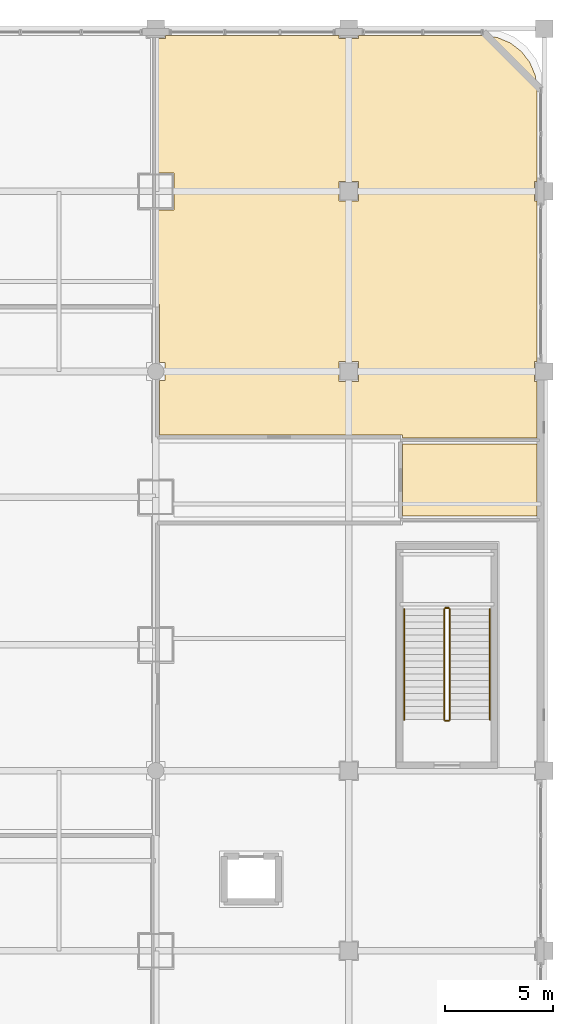
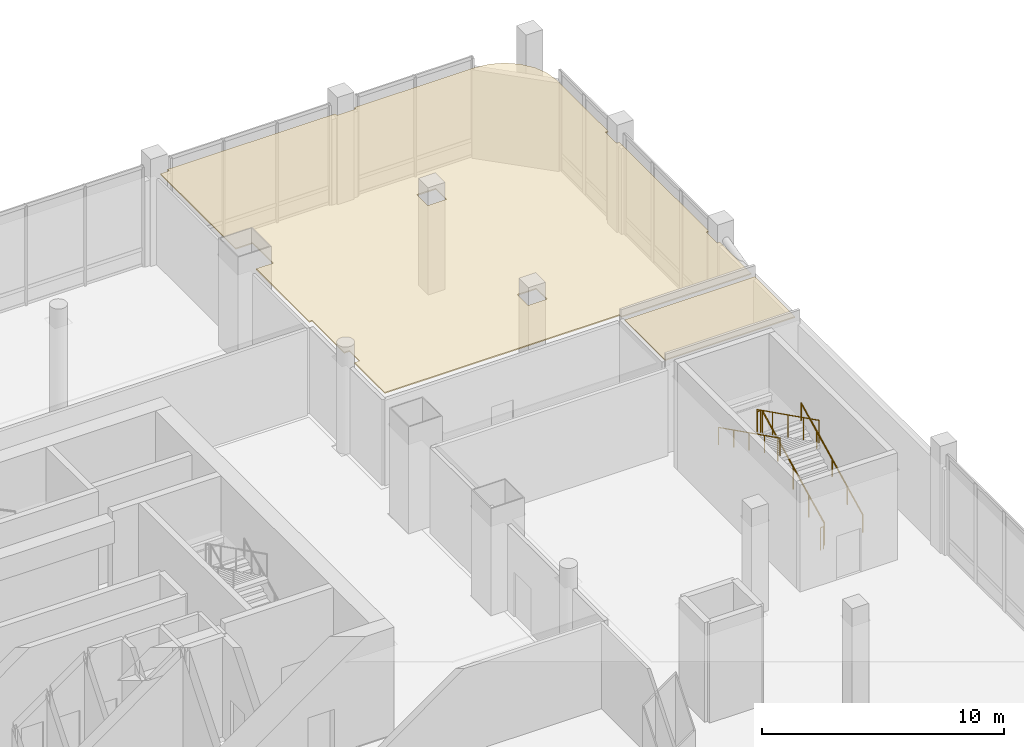
# One storey, part 35 of 35: 6 railings, 2 coverings.
"""IFC4 building model written with IfcOpenShell, lengths in metres."""

import ifcopenshell
import ifcopenshell.guid

model = None  # the IFC model being written
_history = None  # IfcOwnerHistory: only IFC2X3 demands one
_inside = {}  # id of a spatial element -> (the spatial element, [elements in it])
_under = {}  # id of a project, library or spatial element -> (it, [spatial elements below it])
_declared = {}  # id of a project -> (the project, [libraries it declares])
_typed = {}  # id of a type object -> (the type object, [elements of that type])
_made_of = {}  # id of a material, layer set ... -> (it, [elements and type objects made of it])


def new_model(schema):
    """Start an empty IFC model of exactly this schema.

    Asked for "IFC4X3", IfcOpenShell would pick the latest addendum, in which some entities
    have other attributes; the version numbers below select the first issue.
    IFC2X3 requires an IfcOwnerHistory on every rooted entity: one is made here for all.
    """
    global model, _history
    if schema == "IFC4X3":
        model = ifcopenshell.file(schema_version=(4, 3, 0, 0))
    else:
        model = ifcopenshell.file(schema=schema)
    _inside.clear()
    _under.clear()
    _declared.clear()
    _typed.clear()
    _made_of.clear()
    _history = None
    if model.schema == "IFC2X3":
        org = make("IfcOrganization", Name="unknown")
        user = make(
            "IfcPersonAndOrganization",
            ThePerson=make("IfcPerson", FamilyName="unknown"),
            TheOrganization=org,
        )
        app = make(
            "IfcApplication",
            ApplicationDeveloper=org,
            Version="unknown",
            ApplicationFullName="unknown",
            ApplicationIdentifier="unknown",
        )
        _history = make(
            "IfcOwnerHistory",
            OwningUser=user,
            OwningApplication=app,
            ChangeAction="ADDED",
            CreationDate=0,
        )
    return model


def make(cls, **values):
    """One entity of the class cls with the attributes given. An attribute that is None is left unset."""
    return model.create_entity(
        cls, **{name: value for name, value in values.items() if value is not None}
    )


def rooted(cls, **values):
    """An entity with a GlobalId (a new one), such as an element, a storey or a relation."""
    return make(cls, GlobalId=ifcopenshell.guid.new(), OwnerHistory=_history, **values)


def si_unit(unit_type, name, prefix=None):
    """IfcSIUnit, for example si_unit("LENGTHUNIT", "METRE", prefix="MILLI")."""
    return make("IfcSIUnit", UnitType=unit_type, Prefix=prefix, Name=name)


def assignment(units):
    """IfcUnitAssignment: the units of a project."""
    return None if units is None else make("IfcUnitAssignment", Units=units)


def point(xyz):
    """IfcCartesianPoint."""
    return None if xyz is None else make("IfcCartesianPoint", Coordinates=xyz)


def direction(xyz):
    """IfcDirection."""
    return None if xyz is None else make("IfcDirection", DirectionRatios=xyz)


def frame(location, z_axis=None, x_axis=None):
    """IfcAxis2Placement3D, a coordinate frame: its origin and axes. An axis left out is left unset."""
    return make(
        "IfcAxis2Placement3D",
        Location=point(location),
        Axis=direction(z_axis),
        RefDirection=direction(x_axis),
    )


def frame_2d(location, x_axis=None):
    """IfcAxis2Placement2D, a coordinate frame in the plane: its origin and x axis."""
    return make(
        "IfcAxis2Placement2D", Location=point(location), RefDirection=direction(x_axis)
    )


def origin():
    """The frame at (0, 0, 0) with its axes left unset."""
    return frame((0.0, 0.0, 0.0))


def origin_2d():
    """The frame at (0, 0) in the plane with its x axis left unset."""
    return frame_2d((0.0, 0.0))


def place(relative_to, where):
    """IfcLocalPlacement: puts the frame where relative to a parent placement (None: the world)."""
    return make(
        "IfcLocalPlacement", PlacementRelTo=relative_to, RelativePlacement=where
    )


def context(
    kind, dimensions, precision=None, world=None, true_north=None, identifier=None
):
    """IfcGeometricRepresentationContext, for example the 3D "Model" context."""
    return make(
        "IfcGeometricRepresentationContext",
        ContextIdentifier=identifier,
        ContextType=kind,
        CoordinateSpaceDimension=dimensions,
        Precision=precision,
        WorldCoordinateSystem=world,
        TrueNorth=true_north,
    )


def subcontext(parent, identifier, kind, view, scale=None):
    """IfcGeometricRepresentationSubContext, for example "Body" below "Model"."""
    return make(
        "IfcGeometricRepresentationSubContext",
        ContextIdentifier=identifier,
        ContextType=kind,
        ParentContext=parent,
        TargetScale=scale,
        TargetView=view,
    )


def project(units=None, contexts=None):
    """IfcProject with its units and contexts."""
    return rooted(
        "IfcProject",
        Name="project",
        RepresentationContexts=contexts,
        UnitsInContext=assignment(units),
    )


def spatial(cls, under=None, at=None, **own):
    """A site, building, storey or space (cls), placed at a placement, below another one or the project."""
    s = rooted(cls, ObjectPlacement=at, **own)
    if under is not None:
        _under.setdefault(under.id(), (under, []))[1].append(s)
    return s


def polyline(points):
    """IfcPolyline through the points."""
    return make("IfcPolyline", Points=[point(p) for p in points])


def profile(cls, at=None, kind="AREA", **sizes):
    """A parametric profile (cls). Its sizes go by their IFC names, for example OverallWidth=200.0."""
    return make(cls, ProfileType=kind, Position=at, **sizes)


def circle(**sizes):
    """IfcCircleProfileDef."""
    return profile("IfcCircleProfileDef", **sizes)


def outline(outer, holes=None, kind="AREA"):
    """IfcArbitraryClosedProfileDef: a profile drawn as a closed curve; with holes, ...WithVoids."""
    if holes is None:
        return make("IfcArbitraryClosedProfileDef", ProfileType=kind, OuterCurve=outer)
    return make(
        "IfcArbitraryProfileDefWithVoids",
        ProfileType=kind,
        OuterCurve=outer,
        InnerCurves=holes,
    )


def extrude(swept, where, along, depth):
    """IfcExtrudedAreaSolid: the profile swept, set in the frame where, extruded along a direction by depth."""
    return make(
        "IfcExtrudedAreaSolid",
        SweptArea=swept,
        Position=where,
        ExtrudedDirection=direction(along),
        Depth=depth,
    )


def shape(context_of_items, identifier, shape_type, items):
    """IfcShapeRepresentation: the items that make up one representation, for example the "Body"."""
    return make(
        "IfcShapeRepresentation",
        ContextOfItems=context_of_items,
        RepresentationIdentifier=identifier,
        RepresentationType=shape_type,
        Items=items,
    )


def material(Name=None, Category=None):
    """IfcMaterial."""
    return make("IfcMaterial", Name=Name, Category=Category)


def layer(
    of_material, thickness, ventilated=None, Name=None, Category=None, Priority=None
):
    """IfcMaterialLayer: one layer of a wall or slab, of a material (None: an air gap)."""
    return make(
        "IfcMaterialLayer",
        Material=of_material,
        LayerThickness=thickness,
        IsVentilated=ventilated,
        Name=Name,
        Category=Category,
        Priority=Priority,
    )


def layer_set(layers, Name=None):
    """IfcMaterialLayerSet."""
    return make("IfcMaterialLayerSet", MaterialLayers=layers, LayerSetName=Name)


def made_of(thing, what):
    """Note that an element or type object is made of a material, layer set ...; save() writes the relation."""
    if what is not None:
        _made_of.setdefault(what.id(), (what, []))[1].append(thing)
    return thing


def type_object(cls, material=None, **own):
    """A type object (cls), such as IfcWallType, which elements share."""
    return made_of(rooted(cls, **own), material)


def element(
    cls,
    number,
    at=None,
    inside=None,
    cuts=None,
    type_object=None,
    material=None,
    context=None,
    identifier="Body",
    shape_type=None,
    held_by="IfcProductDefinitionShape",
    body=None,
    shapes=None,
    **own,
):
    """One element of the class cls, such as IfcWall. Its Tag is "e" and its number.

    at: its placement. inside: the storey or other place that contains it. cuts: it is an
    opening in that element (IfcRelVoidsElement). A single representation is given by context,
    identifier, shape_type and body (its items); several are given by shapes. held_by: the class
    of the entity that holds the representations. save() writes the other relations.
    """
    e = rooted(cls, Tag="e%d" % number, ObjectPlacement=at, **own)
    if body is not None:
        shapes = [shape(context, identifier, shape_type, body)]
    if shapes is not None:
        e.Representation = make(held_by, Representations=shapes)
    if inside is not None:
        _inside.setdefault(inside.id(), (inside, []))[1].append(e)
    if cuts is not None:
        rooted(
            "IfcRelVoidsElement", RelatingBuildingElement=cuts, RelatedOpeningElement=e
        )
    if type_object is not None:
        _typed.setdefault(type_object.id(), (type_object, []))[1].append(e)
    return made_of(e, material)


def aggregate(whole, parts):
    """IfcRelAggregates: a whole, such as a stair, and the parts it consists of."""
    return rooted("IfcRelAggregates", RelatingObject=whole, RelatedObjects=parts)


def save(model, path):
    """Write the relations noted so far, then the file.

    IfcRelAggregates (storeys below a building ...), IfcRelContainedInSpatialStructure (elements
    in a storey), IfcRelDefinesByType, IfcRelAssociatesMaterial and IfcRelDeclares: one each for
    every whole, place, type object, material and project.
    """
    for whole, parts in _under.values():
        aggregate(whole, parts)
    for where, things in _inside.values():
        rooted(
            "IfcRelContainedInSpatialStructure",
            RelatedElements=things,
            RelatingStructure=where,
        )
    for kind, things in _typed.values():
        rooted("IfcRelDefinesByType", RelatedObjects=things, RelatingType=kind)
    for what, things in _made_of.values():
        rooted("IfcRelAssociatesMaterial", RelatedObjects=things, RelatingMaterial=what)
    for by, libraries in _declared.values():
        rooted("IfcRelDeclares", RelatingContext=by, RelatedDefinitions=libraries)
    model.write(path)


model = new_model("IFC4")

# Units and contexts
model_context = context("Model", 3, precision=1e-05, world=origin(), true_north=direction((0.0, 1.0)))
body_context = subcontext(model_context, "Body", "Model", "MODEL_VIEW")
ifc_project = project(units=[si_unit("LENGTHUNIT", "METRE"), si_unit("AREAUNIT", "SQUARE_METRE"), si_unit("VOLUMEUNIT", "CUBIC_METRE"), si_unit("PLANEANGLEUNIT", "RADIAN"), si_unit("MASSUNIT", "GRAM", prefix="KILO")], contexts=[model_context])

# Site, building, storey
site_placement = place(None, origin())
site = spatial("IfcSite", under=ifc_project, at=site_placement, CompositionType="ELEMENT")
building_placement = place(site_placement, origin())
building = spatial("IfcBuilding", under=site, at=building_placement, Name="Punatoya Terracotta Tower", CompositionType="ELEMENT")
storey_placement = place(building_placement, frame((0.0, 0.0, 16.800048828125)))
storey = spatial("IfcBuildingStorey", under=building, at=storey_placement, Name="L03", CompositionType="ELEMENT", Elevation=16.800048828125)

# Coverings
ifc_material_1 = material(Name="Acoustic Mineral Fibre Ceiling")
ifc_layer = layer(ifc_material_1, 0.06005859375)
ifc_layer_set = layer_set([ifc_layer], Name="Acoustic Mineral Fibre Ceiling")
covering_type = type_object("IfcCoveringType", Name="COV-CEIL-60", PredefinedType="CEILING", material=ifc_layer_set)
covering_1_placement = place(storey_placement, frame((0.0, 0.0, 4.5)))
element("IfcCovering", 1, at=covering_1_placement, inside=storey, type_object=covering_type, Name="L03 North-East Executive Directors' Office Suite Acoustic Ceiling", PredefinedType="CEILING", context=body_context, shape_type="SweptSolid", body=[
    extrude(outline(polyline([(36.679931640625, 8.75), (36.550048828125, 8.75), (36.550048828125, 9.64990234375), (36.679931640625, 9.64990234375), (36.679931640625, 17.050048828125), (36.550048828125, 17.050048828125), (36.550048828125, 17.949951171875), (36.679931640625, 17.949951171875), (36.679931640625, 22.178955078125), (36.5927734375, 22.84130859375), (36.345458984375, 23.438720703125), (35.95166015625, 23.95166015625), (35.438720703125, 24.345458984375), (34.84130859375, 24.5927734375), (34.178955078125, 24.679931640625), (28.449951171875, 24.679931640625), (28.449951171875, 24.550048828125), (27.550048828125, 24.550048828125), (27.550048828125, 24.679931640625), (19.550048828125, 24.679931640625), (19.550048828125, 24.550048828125), (19.139892578125, 24.550048828125), (19.139892578125, 18.35009765625), (19.949951171875, 18.35009765625), (19.949951171875, 16.64990234375), (19.139892578125, 16.64990234375), (19.139892578125, 12.280029296875), (19.280029296875, 12.280029296875), (19.280029296875, 9.625), (19.52490234375, 9.625), (19.52490234375, 8.77490234375), (19.280029296875, 8.77490234375), (19.280029296875, 6.280029296875), (30.47998046875, 6.280029296875), (30.47998046875, 6.139892578125), (36.679931640625, 6.139892578125), (36.679931640625, 8.75)]), holes=[polyline([(27.550048828125, 17.050048828125), (27.550048828125, 17.949951171875), (28.449951171875, 17.949951171875), (28.449951171875, 17.050048828125), (27.550048828125, 17.050048828125)]), polyline([(28.449951171875, 8.75), (27.550048828125, 8.75), (27.550048828125, 9.64990234375), (28.449951171875, 9.64990234375), (28.449951171875, 8.75)])]), origin(), (0.0, 0.0, 1.0), 0.06005859375),
])
covering_2_placement = place(storey_placement, frame((0.0, 0.0, 4.5)))
element("IfcCovering", 2, at=covering_2_placement, inside=storey, type_object=covering_type, Name="L03 East Breakout Briefing Room Acoustic Ceiling", PredefinedType="CEILING", context=body_context, shape_type="SweptSolid", body=[
    extrude(outline(polyline([(30.47998046875, 5.860107421875), (30.47998046875, 2.5400390625), (36.679931640625, 2.5400390625), (36.679931640625, 5.860107421875), (30.47998046875, 5.860107421875)])), origin(), (0.0, 0.0, 1.0), 0.06005859375),
])

# Railings
ifc_material_2 = material(Name="Steel S355", Category="steel")
railing_type_1 = type_object("IfcRailingType", Name="RLG-GRD-1150", PredefinedType="GUARDRAIL", material=ifc_material_2)
railing_1_placement = place(storey_placement, frame((32.64990234375, -6.85009765625, 0.14990234375)))
element("IfcRailing", 3, at=railing_1_placement, inside=storey, type_object=railing_type_1, Name="L03 ST-P2 stair guard 1", PredefinedType="GUARDRAIL", context=body_context, shape_type="SweptSolid", body=[
    extrude(circle(Radius=0.02392578125, at=origin_2d()), frame((0.0, 0.0, 1.1259765625), z_axis=(0.0, 0.894427191, 0.4472135955), x_axis=(-1.0, 0.0, 0.0)), (0.0, 0.0, 1.0), 5.7021484375),
    extrude(circle(Radius=0.02099609375, at=origin_2d()), origin(), (0.0, 0.0, 1.0), 1.101806640625),
    extrude(circle(Radius=0.02099609375, at=origin_2d()), frame((0.0, 1.27490234375, 0.637451171875)), (0.0, 0.0, 1.0), 1.101806640625),
    extrude(circle(Radius=0.02099609375, at=origin_2d()), frame((0.0, 2.550048828125, 1.27490234375)), (0.0, 0.0, 1.0), 1.101806640625),
    extrude(circle(Radius=0.02099609375, at=origin_2d()), frame((0.0, 3.8251953125, 1.91259765625)), (0.0, 0.0, 1.0), 1.101806640625),
    extrude(circle(Radius=0.02099609375, at=origin_2d()), frame((0.0, 5.10009765625, 2.550048828125)), (0.0, 0.0, 1.0), 1.101806640625),
])
railing_2_placement = place(storey_placement, frame((32.60009765625, -1.699951171875, 2.699951171875)))
element("IfcRailing", 4, at=railing_2_placement, inside=storey, type_object=railing_type_1, Name="L03 ST-P2 stair guard 2", PredefinedType="GUARDRAIL", context=body_context, shape_type="SweptSolid", body=[
    extrude(circle(Radius=0.02392578125, at=origin_2d()), frame((0.0, 0.0, 1.1259765625), z_axis=(-1.0, 0.0, 0.0), x_axis=(0.0, -1.0, 0.0)), (0.0, 0.0, 1.0), 0.150146484375),
    extrude(circle(Radius=0.02099609375, at=origin_2d()), origin(), (0.0, 0.0, 1.0), 1.101806640625),
    extrude(circle(Radius=0.02099609375, at=origin_2d()), frame((-0.150146484375, 0.0, 0.0)), (0.0, 0.0, 1.0), 1.101806640625),
])
railing_3_placement = place(storey_placement, frame((32.39990234375, -1.75, 2.849853515625)))
element("IfcRailing", 5, at=railing_3_placement, inside=storey, type_object=railing_type_1, Name="L03 ST-P2 stair guard 3", PredefinedType="GUARDRAIL", context=body_context, shape_type="SweptSolid", body=[
    extrude(circle(Radius=0.02392578125, at=origin_2d()), frame((0.0, 0.0, 1.1259765625), z_axis=(0.0, -0.894427191, 0.4472135955), x_axis=(1.0, 0.0, 0.0)), (0.0, 0.0, 1.0), 5.7021484375),
    extrude(circle(Radius=0.02099609375, at=origin_2d()), origin(), (0.0, 0.0, 1.0), 1.101806640625),
    extrude(circle(Radius=0.02099609375, at=origin_2d()), frame((0.0, -1.27490234375, 0.637451171875)), (0.0, 0.0, 1.0), 1.101806640625),
    extrude(circle(Radius=0.02099609375, at=origin_2d()), frame((0.0, -2.550048828125, 1.27490234375)), (0.0, 0.0, 1.0), 1.101806640625),
    extrude(circle(Radius=0.02099609375, at=origin_2d()), frame((0.0, -3.8251953125, 1.91259765625)), (0.0, 0.0, 1.0), 1.101806640625),
    extrude(circle(Radius=0.02099609375, at=origin_2d()), frame((0.0, -5.10009765625, 2.550048828125)), (0.0, 0.0, 1.0), 1.101806640625),
])
railing_4_placement = place(storey_placement, frame((32.60009765625, -6.89990234375, 0.0)))
element("IfcRailing", 6, at=railing_4_placement, inside=storey, type_object=railing_type_1, Name="L03 ST-P2 stair guard 4", PredefinedType="GUARDRAIL", context=body_context, shape_type="SweptSolid", body=[
    extrude(circle(Radius=0.02392578125, at=origin_2d()), frame((0.0, 0.0, 1.1259765625), z_axis=(-1.0, 0.0, 0.0), x_axis=(0.0, -1.0, 0.0)), (0.0, 0.0, 1.0), 0.150146484375),
    extrude(circle(Radius=0.02099609375, at=origin_2d()), origin(), (0.0, 0.0, 1.0), 1.101806640625),
    extrude(circle(Radius=0.02099609375, at=origin_2d()), frame((-0.150146484375, 0.0, 0.0)), (0.0, 0.0, 1.0), 1.101806640625),
])
railing_type_2 = type_object("IfcRailingType", Name="RLG-HND-900", PredefinedType="HANDRAIL", material=ifc_material_2)
railing_5_placement = place(storey_placement, frame((34.5, -6.85009765625, 0.14990234375)))
element("IfcRailing", 7, at=railing_5_placement, inside=storey, type_object=railing_type_2, Name="L03 ST-P2 stair handrail 1", PredefinedType="HANDRAIL", context=body_context, shape_type="SweptSolid", body=[
    extrude(circle(Radius=0.02392578125, at=origin_2d()), frame((0.0, 0.0, 0.8759765625), z_axis=(0.0, 0.894427191, 0.4472135955), x_axis=(-1.0, 0.0, 0.0)), (0.0, 0.0, 1.0), 5.7021484375),
    extrude(circle(Radius=0.02099609375, at=origin_2d()), origin(), (0.0, 0.0, 1.0), 0.851806640625),
    extrude(circle(Radius=0.02099609375, at=origin_2d()), frame((0.0, 1.27490234375, 0.637451171875)), (0.0, 0.0, 1.0), 0.851806640625),
    extrude(circle(Radius=0.02099609375, at=origin_2d()), frame((0.0, 2.550048828125, 1.27490234375)), (0.0, 0.0, 1.0), 0.851806640625),
    extrude(circle(Radius=0.02099609375, at=origin_2d()), frame((0.0, 3.8251953125, 1.91259765625)), (0.0, 0.0, 1.0), 0.851806640625),
    extrude(circle(Radius=0.02099609375, at=origin_2d()), frame((0.0, 5.10009765625, 2.550048828125)), (0.0, 0.0, 1.0), 0.851806640625),
])
railing_6_placement = place(storey_placement, frame((30.550048828125, -1.75, 2.849853515625)))
element("IfcRailing", 8, at=railing_6_placement, inside=storey, type_object=railing_type_2, Name="L03 ST-P2 stair handrail 2", PredefinedType="HANDRAIL", context=body_context, shape_type="SweptSolid", body=[
    extrude(circle(Radius=0.02392578125, at=origin_2d()), frame((0.0, 0.0, 0.8759765625), z_axis=(0.0, -0.894427191, 0.4472135955), x_axis=(1.0, 0.0, 0.0)), (0.0, 0.0, 1.0), 5.7021484375),
    extrude(circle(Radius=0.02099609375, at=origin_2d()), origin(), (0.0, 0.0, 1.0), 0.851806640625),
    extrude(circle(Radius=0.02099609375, at=origin_2d()), frame((0.0, -1.27490234375, 0.637451171875)), (0.0, 0.0, 1.0), 0.851806640625),
    extrude(circle(Radius=0.02099609375, at=origin_2d()), frame((0.0, -2.550048828125, 1.27490234375)), (0.0, 0.0, 1.0), 0.851806640625),
    extrude(circle(Radius=0.02099609375, at=origin_2d()), frame((0.0, -3.8251953125, 1.91259765625)), (0.0, 0.0, 1.0), 0.851806640625),
    extrude(circle(Radius=0.02099609375, at=origin_2d()), frame((0.0, -5.10009765625, 2.550048828125)), (0.0, 0.0, 1.0), 0.851806640625),
])

save(model, "model.ifc")
